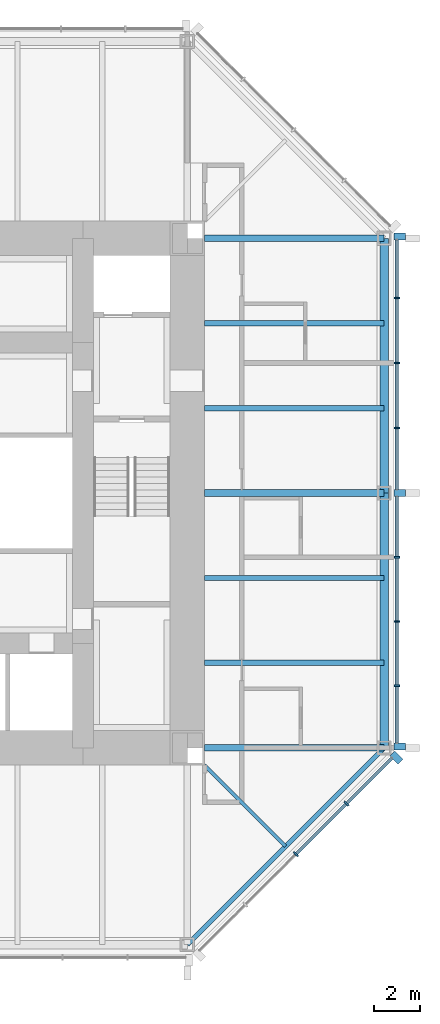
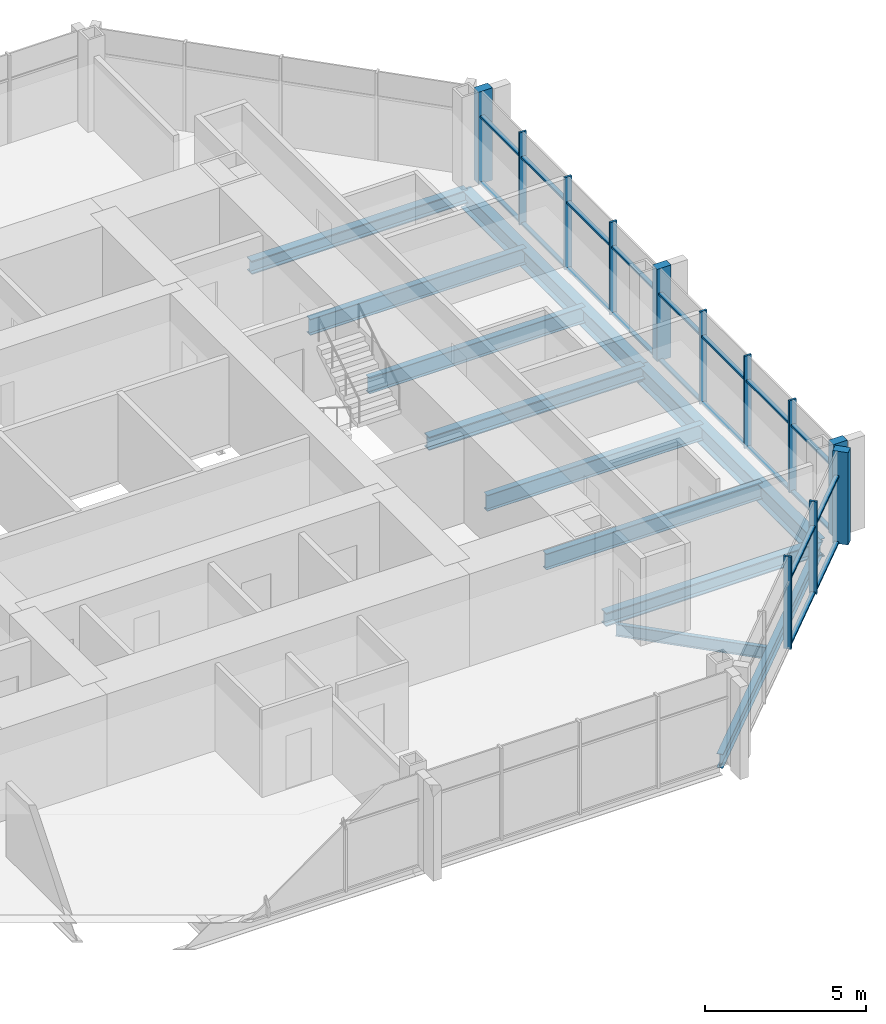
# One storey, part 4 of 11: 32 members, 11 beams, 2 elements without a shape of their own.
"""IFC4 building model written with IfcOpenShell, lengths in metres."""

from ifc_helpers import new_model, si_unit, direction, frame, origin, origin_2d, place, context, subcontext, project, spatial, rectangle, i_section, extrude, material, material_profile, profile_set, type_object, element, aggregate, save


model = new_model("IFC4")

# Units and contexts
model_context = context("Model", 3, precision=1e-05, world=origin(), true_north=direction((0.0, 1.0)))
body_context = subcontext(model_context, "Body", "Model", "MODEL_VIEW")
ifc_project = project(units=[si_unit("LENGTHUNIT", "METRE"), si_unit("AREAUNIT", "SQUARE_METRE"), si_unit("VOLUMEUNIT", "CUBIC_METRE"), si_unit("PLANEANGLEUNIT", "RADIAN"), si_unit("MASSUNIT", "GRAM", prefix="KILO")], contexts=[model_context])

# Site, building, storey
site_placement = place(None, origin())
site = spatial("IfcSite", under=ifc_project, at=site_placement, CompositionType="ELEMENT")
building_placement = place(site_placement, origin())
building = spatial("IfcBuilding", under=site, at=building_placement, Name="Trevanion Tower", CompositionType="ELEMENT")
storey_placement = place(building_placement, frame((0.0, 0.0, 232.699951171875)))
storey = spatial("IfcBuildingStorey", under=building, at=storey_placement, Name="L56", CompositionType="ELEMENT", Elevation=232.699951171875)

# Beams
ifc_material_1 = material(Name="Steel ASTM A992 Grade 50", Category="steel")
ifc_material_profile_1 = material_profile(ifc_material_1, i_section(OverallWidth=0.228271484375, OverallDepth=0.607177734375, WebThickness=0.01123046875, FlangeThickness=0.017333984375, at=origin_2d()), Name="W24X76")
ifc_profile_set_1 = profile_set([ifc_material_profile_1], Name="Steel ASTM A992 Grade 50")
beam_type_1 = type_object("IfcBeamType", Name="B11 W24X76", PredefinedType="BEAM", material=ifc_profile_set_1)
for number, where, z_axis, x_axis, name in (
    (1, (11.75, -7.333251953125, -0.493408203125), (1.0, 0.0, 0.0), (0.0, 1.0, 0.0), "B11 L56"),
    (2, (11.75, -3.666748046875, -0.493408203125), (1.0, 0.0, 0.0), (0.0, 1.0, 0.0), "B11 L56"),
    (3, (11.75, 3.666748046875, -0.493408203125), (1.0, 0.0, 0.0), (0.0, 1.0, 0.0), "B11 L56"),
    (4, (11.75, 7.333251953125, -0.493408203125), (1.0, 0.0, 0.0), (0.0, 1.0, 0.0), "B11 L56"),
):
    element("IfcBeam", number, at=place(storey_placement, frame(where, z_axis=z_axis, x_axis=x_axis)), inside=storey, type_object=beam_type_1, Name=name, PredefinedType="BEAM", context=body_context, shape_type="SweptSolid", body=[
        extrude(i_section(OverallWidth=0.228271484375, OverallDepth=0.607177734375, WebThickness=0.01123046875, FlangeThickness=0.017333984375, at=origin_2d()), origin(), (0.0, 0.0, 1.0), 7.75),
    ])
ifc_material_2 = material(Name="Steel ASTM A992 Grade 50", Category="steel")
ifc_material_profile_2 = material_profile(ifc_material_2, i_section(OverallWidth=0.15234375, OverallDepth=0.449462890625, WebThickness=0.007568359375, FlangeThickness=0.0107421875, at=origin_2d()), Name="W18X35")
ifc_profile_set_2 = profile_set([ifc_material_profile_2], Name="Steel ASTM A992 Grade 50")
beam_type_2 = type_object("IfcBeamType", Name="B12 W18X35", PredefinedType="BEAM", material=ifc_profile_set_2)
beam_1_placement = place(storey_placement, frame((11.75, -11.75, -0.414794921875), z_axis=(0.707106781187, -0.707106781187, 0.0), x_axis=(0.707106781187, 0.707106781187, 0.0)))
element("IfcBeam", 5, at=beam_1_placement, inside=storey, type_object=beam_type_2, Name="B12 L56", PredefinedType="BEAM", context=body_context, shape_type="SweptSolid", body=[
    extrude(i_section(OverallWidth=0.15234375, OverallDepth=0.449462890625, WebThickness=0.007568359375, FlangeThickness=0.0107421875, at=origin_2d()), origin(), (0.0, 0.0, 1.0), 4.94970703125),
])

# Curtain wall, members
ifc_material_3 = material(Name="Aluminium and glass", Category="aluminium")
curtain_wall_type = type_object("IfcCurtainWallType", Name="CW3 curtain wall", PredefinedType="USERDEFINED", material=ifc_material_3)
curtain_wall_1_placement = place(storey_placement, origin())
curtain_wall_1 = element("IfcCurtainWall", 6, at=curtain_wall_1_placement, inside=storey, type_object=curtain_wall_type, Name="CW3 L56 0", ObjectType="UNITISED CURTAIN WALL", PredefinedType="USERDEFINED")
ifc_material_4 = material(Name="Aluminium extrusion, anodised bronze", Category="aluminium")
ifc_material_profile_3 = material_profile(ifc_material_4, rectangle(XDim=0.074951171875, YDim=0.25, at=origin_2d()), Name="CW3 mullion")
ifc_profile_set_3 = profile_set([ifc_material_profile_3], Name="Aluminium extrusion, anodised bronze")
member_type_1 = type_object("IfcMemberType", Name="CW3 mullion", PredefinedType="MULLION", material=ifc_profile_set_3)
member_1_placement = place(storey_placement, frame((20.050048828125, -8.323486328125, -0.18994140625), z_axis=(0.0, 0.0, 1.0), x_axis=(0.0, 1.0, 0.0)))
member_1 = element("IfcMember", 7, at=member_1_placement, type_object=member_type_1, Name="CW3 mullion 2", PredefinedType="MULLION", context=body_context, shape_type="SweptSolid", body=[
    extrude(rectangle(XDim=0.074951171875, YDim=0.25, at=origin_2d()), origin(), (0.0, 0.0, 1.0), 3.5),
])
member_2_placement = place(storey_placement, frame((20.050048828125, -5.548828125, -0.18994140625), z_axis=(0.0, 0.0, 1.0), x_axis=(0.0, 1.0, 0.0)))
member_2 = element("IfcMember", 8, at=member_2_placement, type_object=member_type_1, Name="CW3 mullion 3", PredefinedType="MULLION", context=body_context, shape_type="SweptSolid", body=[
    extrude(rectangle(XDim=0.074951171875, YDim=0.25, at=origin_2d()), origin(), (0.0, 0.0, 1.0), 3.5),
])
member_3_placement = place(storey_placement, frame((20.050048828125, -2.7744140625, -0.18994140625), z_axis=(0.0, 0.0, 1.0), x_axis=(0.0, 1.0, 0.0)))
member_3 = element("IfcMember", 9, at=member_3_placement, type_object=member_type_1, Name="CW3 mullion 4", PredefinedType="MULLION", context=body_context, shape_type="SweptSolid", body=[
    extrude(rectangle(XDim=0.074951171875, YDim=0.25, at=origin_2d()), origin(), (0.0, 0.0, 1.0), 3.5),
])
member_4_placement = place(storey_placement, frame((20.050048828125, 2.806884765625, -0.18994140625), z_axis=(0.0, 0.0, 1.0), x_axis=(0.0, 1.0, 0.0)))
member_4 = element("IfcMember", 10, at=member_4_placement, type_object=member_type_1, Name="CW3 mullion 6", PredefinedType="MULLION", context=body_context, shape_type="SweptSolid", body=[
    extrude(rectangle(XDim=0.074951171875, YDim=0.25, at=origin_2d()), origin(), (0.0, 0.0, 1.0), 3.5),
])
member_5_placement = place(storey_placement, frame((20.050048828125, 5.614013671875, -0.18994140625), z_axis=(0.0, 0.0, 1.0), x_axis=(0.0, 1.0, 0.0)))
member_5 = element("IfcMember", 11, at=member_5_placement, type_object=member_type_1, Name="CW3 mullion 7", PredefinedType="MULLION", context=body_context, shape_type="SweptSolid", body=[
    extrude(rectangle(XDim=0.074951171875, YDim=0.25, at=origin_2d()), origin(), (0.0, 0.0, 1.0), 3.5),
])
member_6_placement = place(storey_placement, frame((20.050048828125, 8.4208984375, -0.18994140625), z_axis=(0.0, 0.0, 1.0), x_axis=(0.0, 1.0, 0.0)))
member_6 = element("IfcMember", 12, at=member_6_placement, type_object=member_type_1, Name="CW3 mullion 8", PredefinedType="MULLION", context=body_context, shape_type="SweptSolid", body=[
    extrude(rectangle(XDim=0.074951171875, YDim=0.25, at=origin_2d()), origin(), (0.0, 0.0, 1.0), 3.5),
])

curtain_wall_2_placement = place(storey_placement, origin())
curtain_wall_2 = element("IfcCurtainWall", 13, at=curtain_wall_2_placement, inside=storey, type_object=curtain_wall_type, Name="CW3 L56 7", ObjectType="UNITISED CURTAIN WALL", PredefinedType="USERDEFINED")
member_7_placement = place(storey_placement, frame((15.684814453125, -15.593017578125, -0.18994140625), z_axis=(0.0, 0.0, 1.0), x_axis=(0.707106781187, 0.707106781187, 0.0)))
member_7 = element("IfcMember", 14, at=member_7_placement, type_object=member_type_1, Name="CW3 mullion 3", PredefinedType="MULLION", context=body_context, shape_type="SweptSolid", body=[
    extrude(rectangle(XDim=0.074951171875, YDim=0.25, at=origin_2d()), origin(), (0.0, 0.0, 1.0), 3.5),
])
member_8_placement = place(storey_placement, frame((17.867431640625, -13.410400390625, -0.18994140625), z_axis=(0.0, 0.0, 1.0), x_axis=(0.707106781187, 0.707106781187, 0.0)))
member_8 = element("IfcMember", 15, at=member_8_placement, type_object=member_type_1, Name="CW3 mullion 4", PredefinedType="MULLION", context=body_context, shape_type="SweptSolid", body=[
    extrude(rectangle(XDim=0.074951171875, YDim=0.25, at=origin_2d()), origin(), (0.0, 0.0, 1.0), 3.5),
])

# Member
ifc_material_5 = material(Name="Aluminium extrusion, anodised bronze", Category="aluminium")
ifc_material_profile_4 = material_profile(ifc_material_5, rectangle(XDim=0.300048828125, YDim=0.5, at=origin_2d()), Name="CW3 pier mullion")
ifc_profile_set_4 = profile_set([ifc_material_profile_4], Name="Aluminium extrusion, anodised bronze")
member_type_2 = type_object("IfcMemberType", Name="CW3 pier mullion", PredefinedType="MULLION", material=ifc_profile_set_4)
member_9_placement = place(storey_placement, frame((20.175048828125, -10.94775390625, -0.18994140625), z_axis=(0.0, 0.0, 1.0), x_axis=(0.0, 1.0, 0.0)))
member_9 = element("IfcMember", 16, at=member_9_placement, type_object=member_type_2, Name="CW3 pier mullion 1", PredefinedType="MULLION", context=body_context, shape_type="SweptSolid", body=[
    extrude(rectangle(XDim=0.300048828125, YDim=0.5, at=origin_2d()), origin(), (0.0, 0.0, 1.0), 3.5),
])

member_10_placement = place(storey_placement, frame((20.175048828125, 0.0, -0.18994140625), z_axis=(0.0, 0.0, 1.0), x_axis=(0.0, 1.0, 0.0)))
member_10 = element("IfcMember", 17, at=member_10_placement, type_object=member_type_2, Name="CW3 pier mullion 5", PredefinedType="MULLION", context=body_context, shape_type="SweptSolid", body=[
    extrude(rectangle(XDim=0.300048828125, YDim=0.5, at=origin_2d()), origin(), (0.0, 0.0, 1.0), 3.5),
])

member_11_placement = place(storey_placement, frame((20.175048828125, 11.077880859375, -0.18994140625), z_axis=(0.0, 0.0, 1.0), x_axis=(0.0, 1.0, 0.0)))
member_11 = element("IfcMember", 18, at=member_11_placement, type_object=member_type_2, Name="CW3 pier mullion 9", PredefinedType="MULLION", context=body_context, shape_type="SweptSolid", body=[
    extrude(rectangle(XDim=0.300048828125, YDim=0.5, at=origin_2d()), origin(), (0.0, 0.0, 1.0), 3.5),
])

member_12_placement = place(storey_placement, frame((20.0322265625, -11.42236328125, -0.18994140625), z_axis=(0.0, 0.0, 1.0), x_axis=(0.707106781187, 0.707106781187, 0.0)))
member_12 = element("IfcMember", 19, at=member_12_placement, type_object=member_type_2, Name="CW3 pier mullion 5", PredefinedType="MULLION", context=body_context, shape_type="SweptSolid", body=[
    extrude(rectangle(XDim=0.300048828125, YDim=0.5, at=origin_2d()), origin(), (0.0, 0.0, 1.0), 3.5),
])

ifc_material_6 = material(Name="Aluminium extrusion, anodised bronze", Category="aluminium")
ifc_material_profile_5 = material_profile(ifc_material_6, rectangle(XDim=0.14990234375, YDim=0.074951171875, at=origin_2d()), Name="CW3 transom")
ifc_profile_set_5 = profile_set([ifc_material_profile_5], Name="Aluminium extrusion, anodised bronze")
member_type_3 = type_object("IfcMemberType", Name="CW3 transom", PredefinedType="USERDEFINED", material=ifc_profile_set_5)
member_13_placement = place(storey_placement, frame((20.050048828125, -10.7978515625, -0.15234375), z_axis=(0.0, 1.0, 0.0), x_axis=(-1.0, 0.0, 0.0)))
member_13 = element("IfcMember", 20, at=member_13_placement, type_object=member_type_3, Name="CW3 transom 1.1", ObjectType="TRANSOM", PredefinedType="USERDEFINED", context=body_context, shape_type="SweptSolid", body=[
    extrude(rectangle(XDim=0.14990234375, YDim=0.074951171875, at=origin_2d()), origin(), (0.0, 0.0, 1.0), 2.43701171875),
])

member_14_placement = place(storey_placement, frame((20.050048828125, -10.7978515625, 2.360107421875), z_axis=(0.0, 1.0, 0.0), x_axis=(-1.0, 0.0, 0.0)))
member_14 = element("IfcMember", 21, at=member_14_placement, type_object=member_type_3, Name="CW3 transom 1.2", ObjectType="TRANSOM", PredefinedType="USERDEFINED", context=body_context, shape_type="SweptSolid", body=[
    extrude(rectangle(XDim=0.14990234375, YDim=0.074951171875, at=origin_2d()), origin(), (0.0, 0.0, 1.0), 2.43701171875),
])

member_15_placement = place(storey_placement, frame((20.050048828125, -8.285888671875, -0.15234375), z_axis=(0.0, 1.0, 0.0), x_axis=(-1.0, 0.0, 0.0)))
member_15 = element("IfcMember", 22, at=member_15_placement, type_object=member_type_3, Name="CW3 transom 2.1", ObjectType="TRANSOM", PredefinedType="USERDEFINED", context=body_context, shape_type="SweptSolid", body=[
    extrude(rectangle(XDim=0.14990234375, YDim=0.074951171875, at=origin_2d()), origin(), (0.0, 0.0, 1.0), 2.699462890625),
])

member_16_placement = place(storey_placement, frame((20.050048828125, -8.285888671875, 2.360107421875), z_axis=(0.0, 1.0, 0.0), x_axis=(-1.0, 0.0, 0.0)))
member_16 = element("IfcMember", 23, at=member_16_placement, type_object=member_type_3, Name="CW3 transom 2.2", ObjectType="TRANSOM", PredefinedType="USERDEFINED", context=body_context, shape_type="SweptSolid", body=[
    extrude(rectangle(XDim=0.14990234375, YDim=0.074951171875, at=origin_2d()), origin(), (0.0, 0.0, 1.0), 2.699462890625),
])

member_17_placement = place(storey_placement, frame((20.050048828125, -5.511474609375, -0.15234375), z_axis=(0.0, 1.0, 0.0), x_axis=(-1.0, 0.0, 0.0)))
member_17 = element("IfcMember", 24, at=member_17_placement, type_object=member_type_3, Name="CW3 transom 3.1", ObjectType="TRANSOM", PredefinedType="USERDEFINED", context=body_context, shape_type="SweptSolid", body=[
    extrude(rectangle(XDim=0.14990234375, YDim=0.074951171875, at=origin_2d()), origin(), (0.0, 0.0, 1.0), 2.699462890625),
])

member_18_placement = place(storey_placement, frame((20.050048828125, -5.511474609375, 2.360107421875), z_axis=(0.0, 1.0, 0.0), x_axis=(-1.0, 0.0, 0.0)))
member_18 = element("IfcMember", 25, at=member_18_placement, type_object=member_type_3, Name="CW3 transom 3.2", ObjectType="TRANSOM", PredefinedType="USERDEFINED", context=body_context, shape_type="SweptSolid", body=[
    extrude(rectangle(XDim=0.14990234375, YDim=0.074951171875, at=origin_2d()), origin(), (0.0, 0.0, 1.0), 2.699462890625),
])

member_19_placement = place(storey_placement, frame((20.050048828125, -2.737060546875, -0.15234375), z_axis=(0.0, 1.0, 0.0), x_axis=(-1.0, 0.0, 0.0)))
member_19 = element("IfcMember", 26, at=member_19_placement, type_object=member_type_3, Name="CW3 transom 4.1", ObjectType="TRANSOM", PredefinedType="USERDEFINED", context=body_context, shape_type="SweptSolid", body=[
    extrude(rectangle(XDim=0.14990234375, YDim=0.074951171875, at=origin_2d()), origin(), (0.0, 0.0, 1.0), 2.587158203125),
])

member_20_placement = place(storey_placement, frame((20.050048828125, -2.737060546875, 2.360107421875), z_axis=(0.0, 1.0, 0.0), x_axis=(-1.0, 0.0, 0.0)))
member_20 = element("IfcMember", 27, at=member_20_placement, type_object=member_type_3, Name="CW3 transom 4.2", ObjectType="TRANSOM", PredefinedType="USERDEFINED", context=body_context, shape_type="SweptSolid", body=[
    extrude(rectangle(XDim=0.14990234375, YDim=0.074951171875, at=origin_2d()), origin(), (0.0, 0.0, 1.0), 2.587158203125),
])

member_21_placement = place(storey_placement, frame((20.050048828125, 0.14990234375, -0.15234375), z_axis=(0.0, 1.0, 0.0), x_axis=(-1.0, 0.0, 0.0)))
member_21 = element("IfcMember", 28, at=member_21_placement, type_object=member_type_3, Name="CW3 transom 5.1", ObjectType="TRANSOM", PredefinedType="USERDEFINED", context=body_context, shape_type="SweptSolid", body=[
    extrude(rectangle(XDim=0.14990234375, YDim=0.074951171875, at=origin_2d()), origin(), (0.0, 0.0, 1.0), 2.619384765625),
])

member_22_placement = place(storey_placement, frame((20.050048828125, 0.14990234375, 2.360107421875), z_axis=(0.0, 1.0, 0.0), x_axis=(-1.0, 0.0, 0.0)))
member_22 = element("IfcMember", 29, at=member_22_placement, type_object=member_type_3, Name="CW3 transom 5.2", ObjectType="TRANSOM", PredefinedType="USERDEFINED", context=body_context, shape_type="SweptSolid", body=[
    extrude(rectangle(XDim=0.14990234375, YDim=0.074951171875, at=origin_2d()), origin(), (0.0, 0.0, 1.0), 2.619384765625),
])

member_23_placement = place(storey_placement, frame((20.050048828125, 2.844482421875, -0.15234375), z_axis=(0.0, 1.0, 0.0), x_axis=(-1.0, 0.0, 0.0)))
member_23 = element("IfcMember", 30, at=member_23_placement, type_object=member_type_3, Name="CW3 transom 6.1", ObjectType="TRANSOM", PredefinedType="USERDEFINED", context=body_context, shape_type="SweptSolid", body=[
    extrude(rectangle(XDim=0.14990234375, YDim=0.074951171875, at=origin_2d()), origin(), (0.0, 0.0, 1.0), 2.73193359375),
])

member_24_placement = place(storey_placement, frame((20.050048828125, 2.844482421875, 2.360107421875), z_axis=(0.0, 1.0, 0.0), x_axis=(-1.0, 0.0, 0.0)))
member_24 = element("IfcMember", 31, at=member_24_placement, type_object=member_type_3, Name="CW3 transom 6.2", ObjectType="TRANSOM", PredefinedType="USERDEFINED", context=body_context, shape_type="SweptSolid", body=[
    extrude(rectangle(XDim=0.14990234375, YDim=0.074951171875, at=origin_2d()), origin(), (0.0, 0.0, 1.0), 2.73193359375),
])

member_25_placement = place(storey_placement, frame((20.050048828125, 5.6513671875, -0.15234375), z_axis=(0.0, 1.0, 0.0), x_axis=(-1.0, 0.0, 0.0)))
member_25 = element("IfcMember", 32, at=member_25_placement, type_object=member_type_3, Name="CW3 transom 7.1", ObjectType="TRANSOM", PredefinedType="USERDEFINED", context=body_context, shape_type="SweptSolid", body=[
    extrude(rectangle(XDim=0.14990234375, YDim=0.074951171875, at=origin_2d()), origin(), (0.0, 0.0, 1.0), 2.73193359375),
])

member_26_placement = place(storey_placement, frame((20.050048828125, 5.6513671875, 2.360107421875), z_axis=(0.0, 1.0, 0.0), x_axis=(-1.0, 0.0, 0.0)))
member_26 = element("IfcMember", 33, at=member_26_placement, type_object=member_type_3, Name="CW3 transom 7.2", ObjectType="TRANSOM", PredefinedType="USERDEFINED", context=body_context, shape_type="SweptSolid", body=[
    extrude(rectangle(XDim=0.14990234375, YDim=0.074951171875, at=origin_2d()), origin(), (0.0, 0.0, 1.0), 2.73193359375),
])

member_27_placement = place(storey_placement, frame((20.050048828125, 8.45849609375, -0.15234375), z_axis=(0.0, 1.0, 0.0), x_axis=(-1.0, 0.0, 0.0)))
member_27 = element("IfcMember", 34, at=member_27_placement, type_object=member_type_3, Name="CW3 transom 8.1", ObjectType="TRANSOM", PredefinedType="USERDEFINED", context=body_context, shape_type="SweptSolid", body=[
    extrude(rectangle(XDim=0.14990234375, YDim=0.074951171875, at=origin_2d()), origin(), (0.0, 0.0, 1.0), 2.46923828125),
])

member_28_placement = place(storey_placement, frame((20.050048828125, 8.45849609375, 2.360107421875), z_axis=(0.0, 1.0, 0.0), x_axis=(-1.0, 0.0, 0.0)))
member_28 = element("IfcMember", 35, at=member_28_placement, type_object=member_type_3, Name="CW3 transom 8.2", ObjectType="TRANSOM", PredefinedType="USERDEFINED", context=body_context, shape_type="SweptSolid", body=[
    extrude(rectangle(XDim=0.14990234375, YDim=0.074951171875, at=origin_2d()), origin(), (0.0, 0.0, 1.0), 2.46923828125),
])

aggregate(curtain_wall_1, [member_9, member_1, member_2, member_3, member_10, member_4, member_5, member_6, member_11, member_13, member_14, member_15, member_16, member_17, member_18, member_19, member_20, member_21, member_22, member_23, member_24, member_25, member_26, member_27, member_28])

member_29_placement = place(storey_placement, frame((15.71142578125, -15.56640625, -0.15234375), z_axis=(0.707106781187, 0.707106781187, 0.0), x_axis=(-0.707106781187, 0.707106781187, 0.0)))
member_29 = element("IfcMember", 36, at=member_29_placement, type_object=member_type_3, Name="CW3 transom 3.1", ObjectType="TRANSOM", PredefinedType="USERDEFINED", context=body_context, shape_type="SweptSolid", body=[
    extrude(rectangle(XDim=0.14990234375, YDim=0.074951171875, at=origin_2d()), origin(), (0.0, 0.0, 1.0), 3.011474609375),
])

member_30_placement = place(storey_placement, frame((15.71142578125, -15.56640625, 2.360107421875), z_axis=(0.707106781187, 0.707106781187, 0.0), x_axis=(-0.707106781187, 0.707106781187, 0.0)))
member_30 = element("IfcMember", 37, at=member_30_placement, type_object=member_type_3, Name="CW3 transom 3.2", ObjectType="TRANSOM", PredefinedType="USERDEFINED", context=body_context, shape_type="SweptSolid", body=[
    extrude(rectangle(XDim=0.14990234375, YDim=0.074951171875, at=origin_2d()), origin(), (0.0, 0.0, 1.0), 3.011474609375),
])

member_31_placement = place(storey_placement, frame((17.89404296875, -13.3837890625, -0.15234375), z_axis=(0.707106781187, 0.707106781187, 0.0), x_axis=(-0.707106781187, 0.707106781187, 0.0)))
member_31 = element("IfcMember", 38, at=member_31_placement, type_object=member_type_3, Name="CW3 transom 4.1", ObjectType="TRANSOM", PredefinedType="USERDEFINED", context=body_context, shape_type="SweptSolid", body=[
    extrude(rectangle(XDim=0.14990234375, YDim=0.074951171875, at=origin_2d()), origin(), (0.0, 0.0, 1.0), 2.7490234375),
])

member_32_placement = place(storey_placement, frame((17.89404296875, -13.3837890625, 2.360107421875), z_axis=(0.707106781187, 0.707106781187, 0.0), x_axis=(-0.707106781187, 0.707106781187, 0.0)))
member_32 = element("IfcMember", 39, at=member_32_placement, type_object=member_type_3, Name="CW3 transom 4.2", ObjectType="TRANSOM", PredefinedType="USERDEFINED", context=body_context, shape_type="SweptSolid", body=[
    extrude(rectangle(XDim=0.14990234375, YDim=0.074951171875, at=origin_2d()), origin(), (0.0, 0.0, 1.0), 2.7490234375),
])

aggregate(curtain_wall_2, [member_7, member_8, member_12, member_29, member_30, member_31, member_32])

# Beams
ifc_material_7 = material(Name="Steel ASTM A992 Grade 50", Category="steel")
ifc_material_profile_6 = material_profile(ifc_material_7, i_section(OverallWidth=0.28955078125, OverallDepth=0.508056640625, WebThickness=0.022705078125, FlangeThickness=0.040283203125, at=origin_2d()), Name="W18X175")
ifc_profile_set_6 = profile_set([ifc_material_profile_6], Name="Steel ASTM A992 Grade 50")
beam_type_3 = type_object("IfcBeamType", Name="G6 W18X175", PredefinedType="BEAM", material=ifc_profile_set_6)
for number, where, z_axis, x_axis, name in (
    (40, (11.75, -11.0, -0.44384765625), (1.0, 0.0, 0.0), (0.0, 1.0, 0.0), "G6 L56"),
    (41, (11.75, 0.0, -0.44384765625), (1.0, 0.0, 0.0), (0.0, 1.0, 0.0), "G6 L56"),
    (42, (11.75, 11.0, -0.44384765625), (1.0, 0.0, 0.0), (0.0, 1.0, 0.0), "G6 L56"),
):
    element("IfcBeam", number, at=place(storey_placement, frame(where, z_axis=z_axis, x_axis=x_axis)), inside=storey, type_object=beam_type_3, Name=name, PredefinedType="BEAM", context=body_context, shape_type="SweptSolid", body=[
        extrude(i_section(OverallWidth=0.28955078125, OverallDepth=0.508056640625, WebThickness=0.022705078125, FlangeThickness=0.040283203125, at=origin_2d()), origin(), (0.0, 0.0, 1.0), 7.75),
    ])
ifc_material_8 = material(Name="Steel ASTM A992 Grade 50", Category="steel")
ifc_material_profile_7 = material_profile(ifc_material_8, i_section(OverallWidth=0.355712890625, OverallDepth=0.696044921875, WebThickness=0.015380859375, FlangeThickness=0.024658203125, at=origin_2d()), Name="W27X146")
ifc_profile_set_7 = profile_set([ifc_material_profile_7], Name="Steel ASTM A992 Grade 50")
beam_type_4 = type_object("IfcBeamType", Name="SB8 W27X146", PredefinedType="SPANDREL", material=ifc_profile_set_7)
for number, where, z_axis, x_axis, name in (
    (43, (19.5, -11.0, -0.537841796875), (0.0, 1.0, 0.0), (-1.0, 0.0, 0.0), "SB8 L56"),
    (44, (19.5, 0.0, -0.537841796875), (0.0, 1.0, 0.0), (-1.0, 0.0, 0.0), "SB8 L56"),
):
    element("IfcBeam", number, at=place(storey_placement, frame(where, z_axis=z_axis, x_axis=x_axis)), inside=storey, type_object=beam_type_4, Name=name, PredefinedType="SPANDREL", context=body_context, shape_type="SweptSolid", body=[
        extrude(i_section(OverallWidth=0.355712890625, OverallDepth=0.696044921875, WebThickness=0.015380859375, FlangeThickness=0.024658203125, at=origin_2d()), origin(), (0.0, 0.0, 1.0), 11.0),
    ])
ifc_material_9 = material(Name="Steel ASTM A992 Grade 50", Category="steel")
ifc_material_profile_8 = material_profile(ifc_material_9, i_section(OverallWidth=0.209228515625, OverallDepth=0.533447265625, WebThickness=0.01025390625, FlangeThickness=0.015625, at=origin_2d()), Name="W21X62")
ifc_profile_set_8 = profile_set([ifc_material_profile_8], Name="Steel ASTM A992 Grade 50")
beam_type_5 = type_object("IfcBeamType", Name="SB9 W21X62", PredefinedType="SPANDREL", material=ifc_profile_set_8)
beam_2_placement = place(storey_placement, frame((11.0, -19.5, -0.45654296875), z_axis=(0.707106781187, 0.707106781187, 0.0), x_axis=(-0.707106781187, 0.707106781187, 0.0)))
element("IfcBeam", 45, at=beam_2_placement, inside=storey, type_object=beam_type_5, Name="SB9 L56", PredefinedType="SPANDREL", context=body_context, shape_type="SweptSolid", body=[
    extrude(i_section(OverallWidth=0.209228515625, OverallDepth=0.533447265625, WebThickness=0.01025390625, FlangeThickness=0.015625, at=origin_2d()), origin(), (0.0, 0.0, 1.0), 12.020751953125),
])

save(model, "model.ifc")
